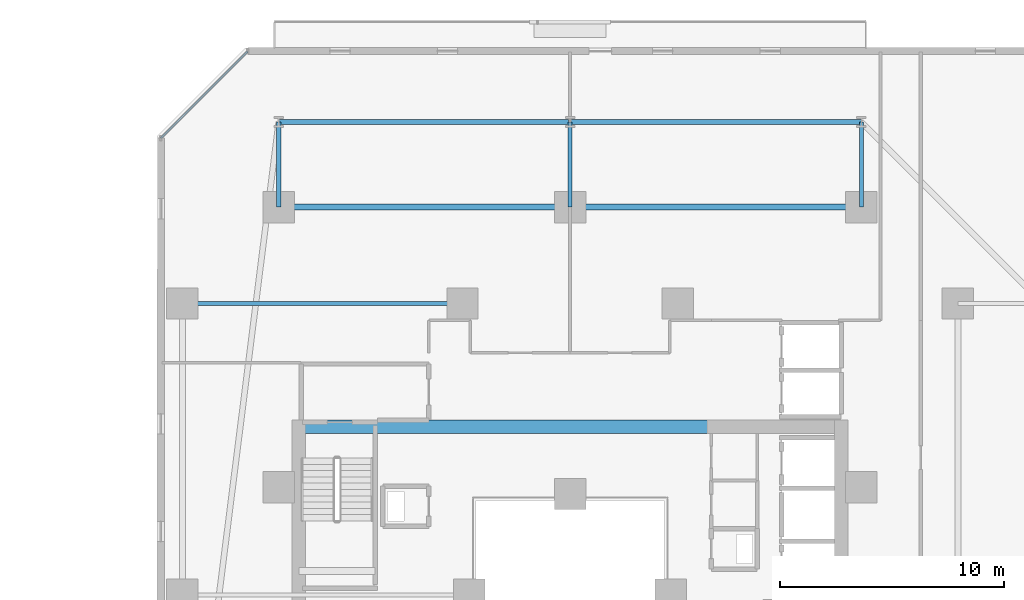
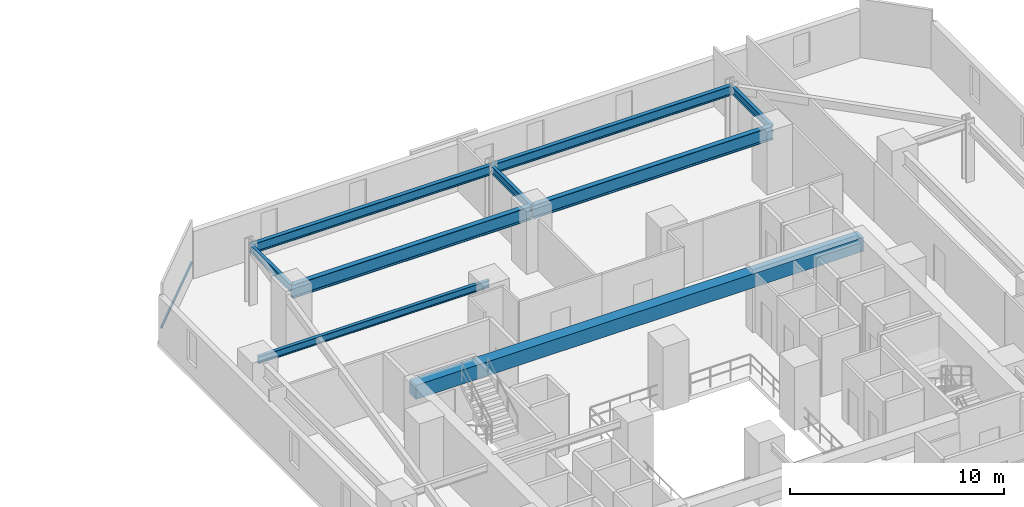
# One storey, part 15 of 34: 9 beams, 1 member, 1 element without a shape of its own.
"""IFC4 building model written with IfcOpenShell, lengths in metres."""

from ifc_helpers import new_model, si_unit, direction, frame, origin, origin_2d, place, context, subcontext, project, spatial, rectangle, hollow_rectangle, i_section, extrude, material, material_profile, profile_set, type_object, element, aggregate, save


model = new_model("IFC4")

# Units and contexts
model_context = context("Model", 3, precision=1e-05, world=origin(), true_north=direction((0.0, 1.0)))
body_context = subcontext(model_context, "Body", "Model", "MODEL_VIEW")
ifc_project = project(units=[si_unit("LENGTHUNIT", "METRE"), si_unit("AREAUNIT", "SQUARE_METRE"), si_unit("VOLUMEUNIT", "CUBIC_METRE"), si_unit("PLANEANGLEUNIT", "RADIAN"), si_unit("MASSUNIT", "GRAM", prefix="KILO")], contexts=[model_context])

# Site, building, storey
site_placement = place(None, origin())
site = spatial("IfcSite", under=ifc_project, at=site_placement, CompositionType="ELEMENT")
building_placement = place(site_placement, origin())
building = spatial("IfcBuilding", under=site, at=building_placement, Name="Thornwick Lancets Civic Towers", CompositionType="ELEMENT")
storey_placement = place(building_placement, frame((0.0, 0.0, 53.699951171875)))
storey = spatial("IfcBuildingStorey", under=building, at=storey_placement, Name="L13", CompositionType="ELEMENT", Elevation=53.699951171875)

# Beams
ifc_material_1 = material(Name="Concrete C60/75", Category="concrete")
ifc_material_profile_1 = material_profile(ifc_material_1, rectangle(XDim=0.60009765625, YDim=0.800048828125, at=origin_2d()), Name="RC 600x800")
ifc_profile_set_1 = profile_set([ifc_material_profile_1], Name="Concrete C60/75")
beam_type_1 = type_object("IfcBeamType", Name="BM_COUP_RC800", PredefinedType="BEAM", material=ifc_profile_set_1)
beam_1_placement = place(storey_placement, frame((76.39990234375, 34.5, 2.9599609375), z_axis=(1.0, 0.0, 0.0), x_axis=(0.0, 1.0, 0.0)))
element("IfcBeam", 1, at=beam_1_placement, inside=storey, type_object=beam_type_1, Name="CB-L13-B1", PredefinedType="BEAM", context=body_context, shape_type="SweptSolid", body=[
    extrude(rectangle(XDim=0.60009765625, YDim=0.800048828125, at=origin_2d()), origin(), (0.0, 0.0, 1.0), 24.2001953125),
])
ifc_material_2 = material(Name="Steel S355JR", Category="steel")
ifc_material_profile_2 = material_profile(ifc_material_2, i_section(OverallWidth=0.2119140625, OverallDepth=0.54443359375, WebThickness=0.0126953125, FlangeThickness=0.021240234375, FilletRadius=0.0126953125, at=origin_2d()), Name="UKB 533x210x122")
ifc_profile_set_2 = profile_set([ifc_material_profile_2], Name="Steel S355JR")
beam_type_2 = type_object("IfcBeamType", Name="BM_EDGE_533_122", PredefinedType="SPANDREL", material=ifc_profile_set_2)
beam_2_placement = place(storey_placement, frame((101.5, 48.10009765625, 3.087890625), z_axis=(-1.0, 0.0, 0.0), x_axis=(0.0, -1.0, 0.0)))
element("IfcBeam", 2, at=beam_2_placement, inside=storey, type_object=beam_type_2, Name="BM-EDGE-L13-B-S1-1", PredefinedType="SPANDREL", context=body_context, shape_type="SweptSolid", body=[
    extrude(i_section(OverallWidth=0.2119140625, OverallDepth=0.54443359375, WebThickness=0.0126953125, FlangeThickness=0.021240234375, FilletRadius=0.0126953125, at=origin_2d()), origin(), (0.0, 0.0, 1.0), 13.0),
])
beam_3_placement = place(storey_placement, frame((88.419921875, 48.10009765625, 3.087890625), z_axis=(-1.0, 0.0, 0.0), x_axis=(0.0, -1.0, 0.0)))
element("IfcBeam", 3, at=beam_3_placement, inside=storey, type_object=beam_type_2, Name="BM-EDGE-L13-B-S1-2", PredefinedType="SPANDREL", context=body_context, shape_type="SweptSolid", body=[
    extrude(i_section(OverallWidth=0.2119140625, OverallDepth=0.54443359375, WebThickness=0.0126953125, FlangeThickness=0.021240234375, FilletRadius=0.0126953125, at=origin_2d()), origin(), (0.0, 0.0, 1.0), 12.919921875),
])
ifc_material_profile_3 = material_profile(ifc_material_2, i_section(OverallWidth=0.26806640625, OverallDepth=0.769775390625, WebThickness=0.015625, FlangeThickness=0.025390625, FilletRadius=0.0166015625, at=origin_2d()), Name="UKB 762x267x197")
ifc_profile_set_3 = profile_set([ifc_material_profile_3], Name="Steel S355JR")
beam_type_3 = type_object("IfcBeamType", Name="BM_GIRD_762_197", PredefinedType="BEAM", material=ifc_profile_set_3)
beam_4_placement = place(storey_placement, frame((101.5, 44.300048828125, 2.97509765625), z_axis=(-1.0, 0.0, 0.0), x_axis=(0.0, -1.0, 0.0)))
element("IfcBeam", 4, at=beam_4_placement, inside=storey, type_object=beam_type_3, Name="BM-SPINE-L13-B-3-4", PredefinedType="BEAM", context=body_context, shape_type="SweptSolid", body=[
    extrude(i_section(OverallWidth=0.26806640625, OverallDepth=0.769775390625, WebThickness=0.015625, FlangeThickness=0.025390625, FilletRadius=0.0166015625, at=origin_2d()), origin(), (0.0, 0.0, 1.0), 13.0),
])
beam_5_placement = place(storey_placement, frame((88.419921875, 44.300048828125, 2.97509765625), z_axis=(-1.0, 0.0, 0.0), x_axis=(0.0, -1.0, 0.0)))
element("IfcBeam", 5, at=beam_5_placement, inside=storey, type_object=beam_type_3, Name="BM-SPINE-L13-B-4-5", PredefinedType="BEAM", context=body_context, shape_type="SweptSolid", body=[
    extrude(i_section(OverallWidth=0.26806640625, OverallDepth=0.769775390625, WebThickness=0.015625, FlangeThickness=0.025390625, FilletRadius=0.0166015625, at=origin_2d()), origin(), (0.0, 0.0, 1.0), 12.919921875),
])
ifc_material_profile_4 = material_profile(ifc_material_2, i_section(OverallWidth=0.179443359375, OverallDepth=0.412841796875, WebThickness=0.009521484375, FlangeThickness=0.01611328125, FilletRadius=0.01025390625, at=origin_2d()), Name="UKB 406x178x74")
ifc_profile_set_4 = profile_set([ifc_material_profile_4], Name="Steel S355JR")
beam_type_4 = type_object("IfcBeamType", Name="BM_JOIST_406_74", PredefinedType="JOIST", material=ifc_profile_set_4)
for number, where, z_axis, x_axis, name in (
    (6, (101.5, 44.300048828125, 3.153564453125), (0.0, 1.0, 0.0), (-1.0, 0.0, 0.0), "BM-RAD-L13-B04"),
    (7, (88.5, 44.300048828125, 3.153564453125), (0.0, 1.0, 0.0), (-1.0, 0.0, 0.0), "BM-RAD-L13-B05"),
    (8, (75.5, 44.300048828125, 3.153564453125), (0.0, 1.0, 0.0), (-1.0, 0.0, 0.0), "BM-RAD-L13-B06"),
):
    element("IfcBeam", number, at=place(storey_placement, frame(where, z_axis=z_axis, x_axis=x_axis)), inside=storey, type_object=beam_type_4, Name=name, PredefinedType="JOIST", context=body_context, shape_type="SweptSolid", body=[
        extrude(i_section(OverallWidth=0.179443359375, OverallDepth=0.412841796875, WebThickness=0.009521484375, FlangeThickness=0.01611328125, FilletRadius=0.01025390625, at=origin_2d()), origin(), (0.0, 0.0, 1.0), 3.800048828125),
    ])
beam_6_placement = place(storey_placement, frame((83.699951171875, 40.0, 3.153564453125), z_axis=(-1.0, 0.0, 0.0), x_axis=(0.0, -1.0, 0.0)))
element("IfcBeam", 9, at=beam_6_placement, inside=storey, type_object=beam_type_4, Name="BM-RADIN-L13-B09", PredefinedType="JOIST", context=body_context, shape_type="SweptSolid", body=[
    extrude(i_section(OverallWidth=0.179443359375, OverallDepth=0.412841796875, WebThickness=0.009521484375, FlangeThickness=0.01611328125, FilletRadius=0.01025390625, at=origin_2d()), origin(), (0.0, 0.0, 1.0), 12.5),
])

# Curtain wall, member
ifc_material_3 = material(Name="Low-zone chamfered-corner unitised glass curtain wall", Category="glass")
curtain_wall_type = type_object("IfcCurtainWallType", Name="CW_SYS_03", PredefinedType="NOTDEFINED", material=ifc_material_3)
curtain_wall_placement = place(storey_placement, origin())
curtain_wall = element("IfcCurtainWall", 10, at=curtain_wall_placement, inside=storey, type_object=curtain_wall_type, Name="L13 Curtain Wall CW-L13-B-E5", PredefinedType="NOTDEFINED")
ifc_material_4 = material(Name="Thermally broken bronze aluminium S355", Category="steel")
ifc_material_profile_5 = material_profile(ifc_material_4, hollow_rectangle(XDim=0.074951171875, YDim=0.14990234375, WallThickness=0.0048828125, at=origin_2d()), Name="RHS 150x75x5")
ifc_profile_set_5 = profile_set([ifc_material_profile_5], Name="Thermally broken bronze aluminium S355")
member_type = type_object("IfcMemberType", Name="CW_TRN_150", PredefinedType="USERDEFINED", material=ifc_profile_set_5)
member_placement = place(storey_placement, frame((74.10888671875, 51.24658203125, 0.85009765625), z_axis=(-0.707106781187, -0.707106781187, 0.0), x_axis=(0.707106781187, -0.707106781187, 0.0)))
member = element("IfcMember", 11, at=member_placement, type_object=member_type, Name="CW-L13-B-E5 Transom 0", ObjectType="TRANSOM", PredefinedType="USERDEFINED", context=body_context, shape_type="SweptSolid", body=[
    extrude(hollow_rectangle(XDim=0.074951171875, YDim=0.14990234375, WallThickness=0.0048828125, at=origin_2d()), origin(), (0.0, 0.0, 1.0), 5.452392578125),
])
aggregate(curtain_wall, [member])

save(model, "model.ifc")
